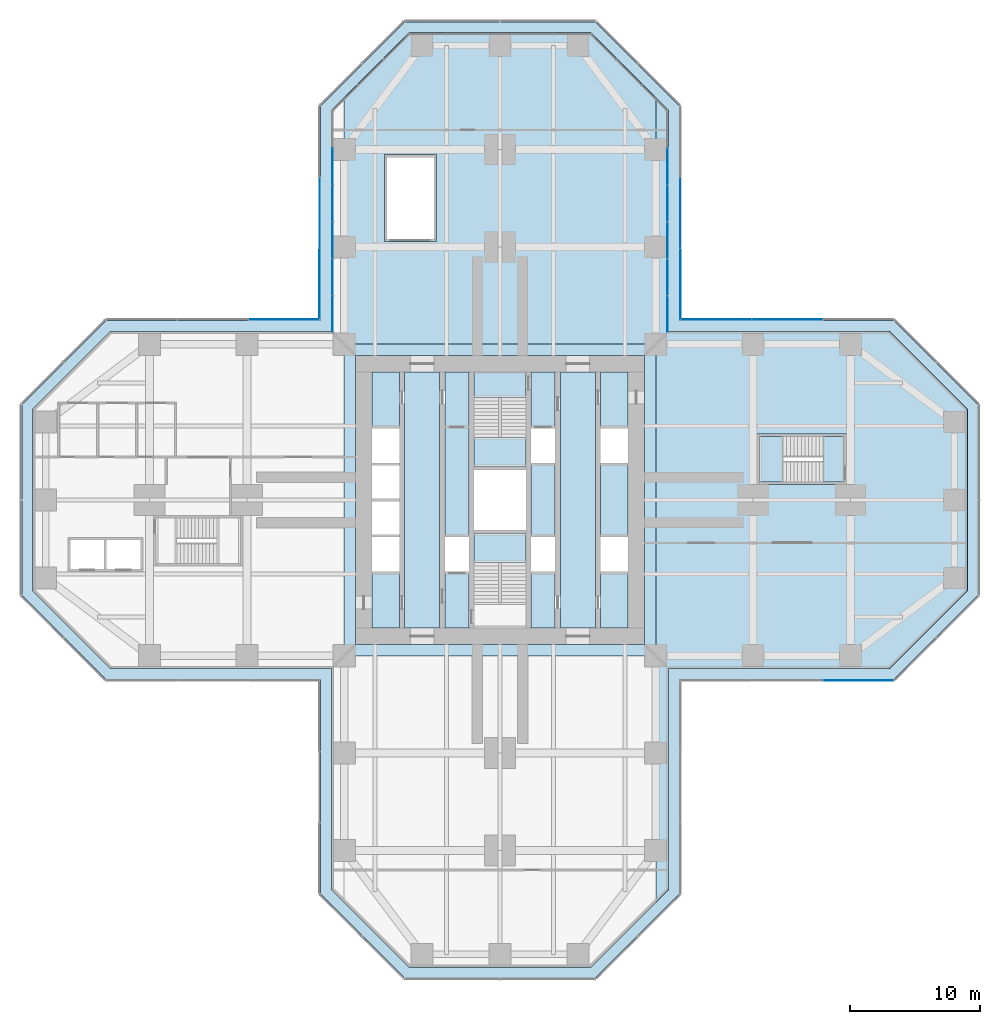
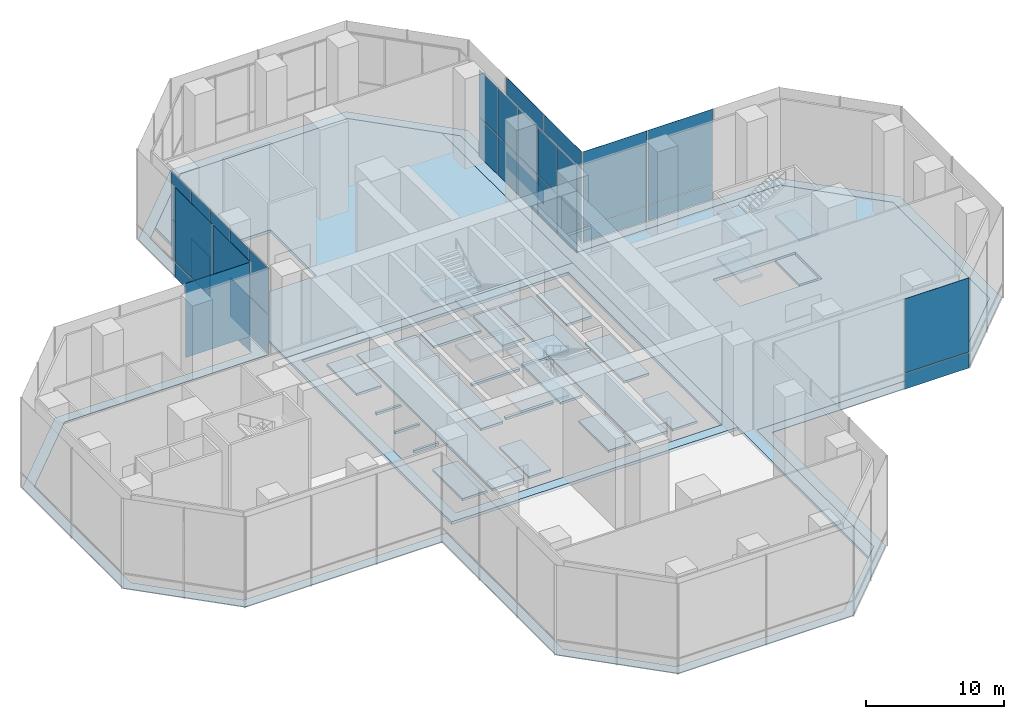
# One storey, part 15 of 25: 36 plates, 14 slabs, 10 elements without a shape of their own.
"""IFC4 building model written with IfcOpenShell, lengths in metres."""

from ifc_helpers import new_model, si_unit, direction, frame, origin, origin_2d, place, context, subcontext, project, spatial, polyline, rectangle, outline, extrude, material, layer, layer_set, type_object, element, aggregate, save


model = new_model("IFC4")

# Units and contexts
model_context = context("Model", 3, precision=1e-05, world=origin(), true_north=direction((0.0, 1.0)))
body_context = subcontext(model_context, "Body", "Model", "MODEL_VIEW")
ifc_project = project(units=[si_unit("LENGTHUNIT", "METRE"), si_unit("AREAUNIT", "SQUARE_METRE"), si_unit("VOLUMEUNIT", "CUBIC_METRE"), si_unit("PLANEANGLEUNIT", "RADIAN"), si_unit("MASSUNIT", "GRAM", prefix="KILO")], contexts=[model_context])

# Site, building, storey
site_placement = place(None, origin())
site = spatial("IfcSite", under=ifc_project, at=site_placement, CompositionType="ELEMENT")
building_placement = place(site_placement, origin())
building = spatial("IfcBuilding", under=site, at=building_placement, Name="Mizan Broadcast Tower", CompositionType="ELEMENT")
storey_placement = place(building_placement, frame((0.0, 0.0, 15.0)))
storey = spatial("IfcBuildingStorey", under=building, at=storey_placement, Name="L02", CompositionType="ELEMENT", Elevation=15.0)

# Plate
ifc_material_1 = material(Name="Aluminium grating", Category="aluminium")
ifc_layer_1 = layer(ifc_material_1, 0.050048828125)
ifc_layer_set_1 = layer_set([ifc_layer_1], Name="Aluminium grating")
plate_type_1 = type_object("IfcPlateType", Name="CAVITY GRATING", PredefinedType="USERDEFINED", material=ifc_layer_set_1)
plate_1_placement = place(storey_placement, frame((0.0, 0.0, -0.050048828125)))
element("IfcPlate", 1, at=plate_1_placement, inside=storey, type_object=plate_type_1, Name="Cavity grating L02", ObjectType="GRATING", PredefinedType="USERDEFINED", context=body_context, shape_type="SweptSolid", body=[
    extrude(outline(polyline([(7.339599609375, -36.820068359375), (13.820068359375, -30.339599609375), (13.820068359375, -13.820068359375), (30.339599609375, -13.820068359375), (36.820068359375, -7.339599609375), (36.820068359375, 7.339599609375), (30.339599609375, 13.820068359375), (13.820068359375, 13.820068359375), (13.820068359375, 30.339599609375), (7.339599609375, 36.820068359375), (-7.339599609375, 36.820068359375), (-13.820068359375, 30.339599609375), (-13.820068359375, 13.820068359375), (-30.339599609375, 13.820068359375), (-36.820068359375, 7.339599609375), (-36.820068359375, -7.339599609375), (-30.339599609375, -13.820068359375), (-13.820068359375, -13.820068359375), (-13.820068359375, -30.339599609375), (-7.339599609375, -36.820068359375), (7.339599609375, -36.820068359375)]), holes=[polyline([(36.0, -7.0), (30.0, -13.0), (13.0, -13.0), (13.0, -30.0), (7.0, -36.0), (-7.0, -36.0), (-13.0, -30.0), (-13.0, -13.0), (-30.0, -13.0), (-36.0, -7.0), (-36.0, 7.0), (-30.0, 13.0), (-13.0, 13.0), (-13.0, 30.0), (-7.0, 36.0), (7.0, 36.0), (13.0, 30.0), (13.0, 13.0), (30.0, 13.0), (36.0, 7.0), (36.0, -7.0)])]), origin(), (0.0, 0.0, 1.0), 0.050048828125),
])

# Slab
ifc_material_2 = material(Name="Concrete C40/50", Category="concrete")
ifc_layer_2 = layer(ifc_material_2, 0.199951171875)
ifc_layer_set_2 = layer_set([ifc_layer_2], Name="Concrete C40/50")
slab_type_1 = type_object("IfcSlabType", Name="CORE FLOOR 200", PredefinedType="FLOOR", material=ifc_layer_set_2)
slab_1_placement = place(storey_placement, frame((0.0, 0.0, -0.199951171875)))
element("IfcSlab", 2, at=slab_1_placement, inside=storey, type_object=slab_type_1, Name="Core floor L02", PredefinedType="FLOOR", context=body_context, shape_type="SweptSolid", body=[
    extrude(outline(polyline([(-9.85009765625, -9.85009765625), (-7.75, -9.85009765625), (-7.75, -5.5), (-9.85009765625, -5.5), (-9.85009765625, -9.85009765625)])), origin(), (0.0, 0.0, 1.0), 0.199951171875),
    extrude(outline(polyline([(-9.85009765625, -2.85009765625), (-7.75, -2.85009765625), (-7.75, -2.64990234375), (-9.85009765625, -2.64990234375), (-9.85009765625, -2.85009765625)])), origin(), (0.0, 0.0, 1.0), 0.199951171875),
    extrude(outline(polyline([(-9.85009765625, -0.10009765625), (-7.75, -0.10009765625), (-7.75, 0.10009765625), (-9.85009765625, 0.10009765625), (-9.85009765625, -0.10009765625)])), origin(), (0.0, 0.0, 1.0), 0.199951171875),
    extrude(outline(polyline([(-9.85009765625, 2.64990234375), (-7.75, 2.64990234375), (-7.75, 2.85009765625), (-9.85009765625, 2.85009765625), (-9.85009765625, 2.64990234375)])), origin(), (0.0, 0.0, 1.0), 0.199951171875),
    extrude(outline(polyline([(-9.85009765625, 5.5), (-7.75, 5.5), (-7.75, 9.85009765625), (-9.85009765625, 9.85009765625), (-9.85009765625, 5.5)])), origin(), (0.0, 0.0, 1.0), 0.199951171875),
    extrude(outline(polyline([(-4.64990234375, 9.85009765625), (-7.35009765625, 9.85009765625), (-7.35009765625, -9.85009765625), (-4.64990234375, -9.85009765625), (-4.64990234375, 9.85009765625)])), origin(), (0.0, 0.0, 1.0), 0.199951171875),
    extrude(outline(polyline([(-4.25, -5.5), (-4.25, -9.85009765625), (-2.39990234375, -9.85009765625), (-2.39990234375, -5.5), (-4.25, -5.5)])), origin(), (0.0, 0.0, 1.0), 0.199951171875),
    extrude(outline(polyline([(-4.25, -2.85009765625), (-2.39990234375, -2.85009765625), (-2.39990234375, 9.85009765625), (-4.25, 9.85009765625), (-4.25, -2.85009765625)])), origin(), (0.0, 0.0, 1.0), 0.199951171875),
    extrude(outline(polyline([(2.0, -2.324951171875), (-2.0, -2.324951171875), (-2.0, -2.574951171875), (2.0, -2.574951171875), (2.0, -2.324951171875)])), origin(), (0.0, 0.0, 1.0), 0.199951171875),
    extrude(outline(polyline([(2.0, 2.574951171875), (-2.0, 2.574951171875), (-2.0, 2.324951171875), (2.0, 2.324951171875), (2.0, 2.574951171875)])), origin(), (0.0, 0.0, 1.0), 0.199951171875),
    extrude(outline(polyline([(4.25, -9.85009765625), (4.25, -5.5), (2.39990234375, -5.5), (2.39990234375, -9.85009765625), (4.25, -9.85009765625)])), origin(), (0.0, 0.0, 1.0), 0.199951171875),
    extrude(outline(polyline([(4.25, -2.85009765625), (4.25, 2.85009765625), (2.39990234375, 2.85009765625), (2.39990234375, -2.85009765625), (4.25, -2.85009765625)])), origin(), (0.0, 0.0, 1.0), 0.199951171875),
    extrude(outline(polyline([(4.25, 5.5), (4.25, 9.85009765625), (2.39990234375, 9.85009765625), (2.39990234375, 5.5), (4.25, 5.5)])), origin(), (0.0, 0.0, 1.0), 0.199951171875),
    extrude(outline(polyline([(4.64990234375, 9.85009765625), (4.64990234375, -9.85009765625), (7.35009765625, -9.85009765625), (7.35009765625, 9.85009765625), (4.64990234375, 9.85009765625)])), origin(), (0.0, 0.0, 1.0), 0.199951171875),
    extrude(outline(polyline([(9.85009765625, -9.85009765625), (9.85009765625, -5.5), (7.75, -5.5), (7.75, -9.85009765625), (9.85009765625, -9.85009765625)])), origin(), (0.0, 0.0, 1.0), 0.199951171875),
    extrude(outline(polyline([(7.75, 2.85009765625), (7.75, -2.85009765625), (9.85009765625, -2.85009765625), (9.85009765625, 2.85009765625), (7.75, 2.85009765625)])), origin(), (0.0, 0.0, 1.0), 0.199951171875),
    extrude(outline(polyline([(9.85009765625, 5.5), (9.85009765625, 9.85009765625), (7.75, 9.85009765625), (7.75, 5.5), (9.85009765625, 5.5)])), origin(), (0.0, 0.0, 1.0), 0.199951171875),
])

# Curtain wall, plates
ifc_material_3 = material(Name="Aluminium framed glazing", Category="aluminium")
curtain_wall_type_1 = type_object("IfcCurtainWallType", Name="OUTER SKIN", PredefinedType="USERDEFINED", material=ifc_material_3)
curtain_wall_1_placement = place(storey_placement, origin())
curtain_wall_1 = element("IfcCurtainWall", 3, at=curtain_wall_1_placement, inside=storey, type_object=curtain_wall_type_1, Name="Outer skin L02 E side", ObjectType="OUTER SKIN", PredefinedType="USERDEFINED")
ifc_material_4 = material(Name="Laminated clear glass", Category="glass")
ifc_layer_3 = layer(ifc_material_4, 0.02001953125)
ifc_layer_set_3 = layer_set([ifc_layer_3], Name="Laminated clear glass")
plate_type_2 = type_object("IfcPlateType", Name="OUTER SKIN CLEAR GLASS", PredefinedType="CURTAIN_PANEL", material=ifc_layer_set_3)
plate_2_placement = place(storey_placement, frame((27.607421875, -13.89990234375, 0.0), z_axis=(0.0, 0.0, 1.0), x_axis=(1.0, 0.0, 0.0)))
plate_2 = element("IfcPlate", 4, at=plate_2_placement, type_object=plate_type_2, Name="Outer skin L02 E side panel 3.1", PredefinedType="CURTAIN_PANEL", context=body_context, shape_type="SweptSolid", body=[
    extrude(rectangle(XDim=5.370849609375, YDim=0.02001953125, at=origin_2d()), origin(), (0.0, 0.0, 1.0), 1.3701171875),
])
plate_3_placement = place(storey_placement, frame((27.607421875, -13.89990234375, 1.43017578125), z_axis=(0.0, 0.0, 1.0), x_axis=(1.0, 0.0, 0.0)))
plate_3 = element("IfcPlate", 5, at=plate_3_placement, type_object=plate_type_2, Name="Outer skin L02 E side panel 3.2", PredefinedType="CURTAIN_PANEL", context=body_context, shape_type="SweptSolid", body=[
    extrude(rectangle(XDim=5.370849609375, YDim=0.02001953125, at=origin_2d()), origin(), (0.0, 0.0, 1.0), 6.570068359375),
])
aggregate(curtain_wall_1, [plate_2, plate_3])

curtain_wall_2_placement = place(storey_placement, origin())
curtain_wall_2 = element("IfcCurtainWall", 6, at=curtain_wall_2_placement, inside=storey, type_object=curtain_wall_type_1, Name="Outer skin L02 E side", ObjectType="OUTER SKIN", PredefinedType="USERDEFINED")
plate_4_placement = place(storey_placement, frame((22.136474609375, 13.89990234375, 0.0), z_axis=(0.0, 0.0, 1.0), x_axis=(-1.0, 0.0, 0.0)))
plate_4 = element("IfcPlate", 7, at=plate_4_placement, type_object=plate_type_2, Name="Outer skin L02 E side panel 2.1", PredefinedType="CURTAIN_PANEL", context=body_context, shape_type="SweptSolid", body=[
    extrude(rectangle(XDim=5.410888671875, YDim=0.02001953125, at=origin_2d()), origin(), (0.0, 0.0, 1.0), 1.3701171875),
])
plate_5_placement = place(storey_placement, frame((22.136474609375, 13.89990234375, 1.43017578125), z_axis=(0.0, 0.0, 1.0), x_axis=(-1.0, 0.0, 0.0)))
plate_5 = element("IfcPlate", 8, at=plate_5_placement, type_object=plate_type_2, Name="Outer skin L02 E side panel 2.2", PredefinedType="CURTAIN_PANEL", context=body_context, shape_type="SweptSolid", body=[
    extrude(rectangle(XDim=5.410888671875, YDim=0.02001953125, at=origin_2d()), origin(), (0.0, 0.0, 1.0), 6.570068359375),
])
plate_6_placement = place(storey_placement, frame((16.66552734375, 13.89990234375, 0.0), z_axis=(0.0, 0.0, 1.0), x_axis=(-1.0, 0.0, 0.0)))
plate_6 = element("IfcPlate", 9, at=plate_6_placement, type_object=plate_type_2, Name="Outer skin L02 E side panel 3.1", PredefinedType="CURTAIN_PANEL", context=body_context, shape_type="SweptSolid", body=[
    extrude(rectangle(XDim=5.370849609375, YDim=0.02001953125, at=origin_2d()), origin(), (0.0, 0.0, 1.0), 1.3701171875),
])
plate_7_placement = place(storey_placement, frame((16.66552734375, 13.89990234375, 1.43017578125), z_axis=(0.0, 0.0, 1.0), x_axis=(-1.0, 0.0, 0.0)))
plate_7 = element("IfcPlate", 10, at=plate_7_placement, type_object=plate_type_2, Name="Outer skin L02 E side panel 3.2", PredefinedType="CURTAIN_PANEL", context=body_context, shape_type="SweptSolid", body=[
    extrude(rectangle(XDim=5.370849609375, YDim=0.02001953125, at=origin_2d()), origin(), (0.0, 0.0, 1.0), 6.570068359375),
])
aggregate(curtain_wall_2, [plate_4, plate_5, plate_6, plate_7])

curtain_wall_3_placement = place(storey_placement, origin())
curtain_wall_3 = element("IfcCurtainWall", 11, at=curtain_wall_3_placement, inside=storey, type_object=curtain_wall_type_1, Name="Outer skin L02 N side", ObjectType="OUTER SKIN", PredefinedType="USERDEFINED")
plate_8_placement = place(storey_placement, frame((13.89990234375, 16.66552734375, 0.0), z_axis=(0.0, 0.0, 1.0), x_axis=(0.0, 1.0, 0.0)))
plate_8 = element("IfcPlate", 12, at=plate_8_placement, type_object=plate_type_2, Name="Outer skin L02 N side panel 1.1", PredefinedType="CURTAIN_PANEL", context=body_context, shape_type="SweptSolid", body=[
    extrude(rectangle(XDim=5.370849609375, YDim=0.02001953125, at=origin_2d()), origin(), (0.0, 0.0, 1.0), 1.3701171875),
])
plate_9_placement = place(storey_placement, frame((13.89990234375, 16.66552734375, 1.43017578125), z_axis=(0.0, 0.0, 1.0), x_axis=(0.0, 1.0, 0.0)))
plate_9 = element("IfcPlate", 13, at=plate_9_placement, type_object=plate_type_2, Name="Outer skin L02 N side panel 1.2", PredefinedType="CURTAIN_PANEL", context=body_context, shape_type="SweptSolid", body=[
    extrude(rectangle(XDim=5.370849609375, YDim=0.02001953125, at=origin_2d()), origin(), (0.0, 0.0, 1.0), 6.570068359375),
])

curtain_wall_4_placement = place(storey_placement, origin())
curtain_wall_4 = element("IfcCurtainWall", 14, at=curtain_wall_4_placement, inside=storey, type_object=curtain_wall_type_1, Name="Outer skin L02 N side", ObjectType="OUTER SKIN", PredefinedType="USERDEFINED")
plate_10_placement = place(storey_placement, frame((-13.89990234375, 16.66552734375, 0.0), z_axis=(0.0, 0.0, 1.0), x_axis=(0.0, -1.0, 0.0)))
plate_10 = element("IfcPlate", 15, at=plate_10_placement, type_object=plate_type_2, Name="Outer skin L02 N side panel 3.1", PredefinedType="CURTAIN_PANEL", context=body_context, shape_type="SweptSolid", body=[
    extrude(rectangle(XDim=5.370849609375, YDim=0.02001953125, at=origin_2d()), origin(), (0.0, 0.0, 1.0), 1.3701171875),
])
plate_11_placement = place(storey_placement, frame((-13.89990234375, 16.66552734375, 1.43017578125), z_axis=(0.0, 0.0, 1.0), x_axis=(0.0, -1.0, 0.0)))
plate_11 = element("IfcPlate", 16, at=plate_11_placement, type_object=plate_type_2, Name="Outer skin L02 N side panel 3.2", PredefinedType="CURTAIN_PANEL", context=body_context, shape_type="SweptSolid", body=[
    extrude(rectangle(XDim=5.370849609375, YDim=0.02001953125, at=origin_2d()), origin(), (0.0, 0.0, 1.0), 6.570068359375),
])

# Curtain wall, plate
curtain_wall_5_placement = place(storey_placement, origin())
curtain_wall_5 = element("IfcCurtainWall", 17, at=curtain_wall_5_placement, inside=storey, type_object=curtain_wall_type_1, Name="Outer skin L02 W side", ObjectType="OUTER SKIN", PredefinedType="USERDEFINED")
plate_12_placement = place(storey_placement, frame((-16.66552734375, 13.89990234375, 1.43017578125), z_axis=(0.0, 0.0, 1.0), x_axis=(-1.0, 0.0, 0.0)))
plate_12 = element("IfcPlate", 18, at=plate_12_placement, type_object=plate_type_2, Name="Outer skin L02 W side panel 1.2", PredefinedType="CURTAIN_PANEL", context=body_context, shape_type="SweptSolid", body=[
    extrude(rectangle(XDim=5.370849609375, YDim=0.02001953125, at=origin_2d()), origin(), (0.0, 0.0, 1.0), 6.570068359375),
])
aggregate(curtain_wall_5, [plate_12])

# Plate
ifc_material_5 = material(Name="Perforated aluminium, pale anodised", Category="aluminium")
ifc_layer_4 = layer(ifc_material_5, 0.011962890625)
ifc_layer_set_4 = layer_set([ifc_layer_4], Name="Perforated aluminium, pale anodised")
plate_type_3 = type_object("IfcPlateType", Name="OUTER SKIN PERFORATED SCREEN", PredefinedType="USERDEFINED", material=ifc_layer_set_4)
plate_13_placement = place(storey_placement, frame((13.89990234375, 22.136474609375, 0.0), z_axis=(0.0, 0.0, 1.0), x_axis=(0.0, 1.0, 0.0)))
plate_13 = element("IfcPlate", 19, at=plate_13_placement, type_object=plate_type_3, Name="Outer skin L02 N side panel 2.1", ObjectType="SCREEN", PredefinedType="USERDEFINED", context=body_context, shape_type="SweptSolid", body=[
    extrude(rectangle(XDim=5.410888671875, YDim=0.011962890625, at=origin_2d()), origin(), (0.0, 0.0, 1.0), 1.3701171875),
])

plate_14_placement = place(storey_placement, frame((13.89990234375, 22.136474609375, 1.43017578125), z_axis=(0.0, 0.0, 1.0), x_axis=(0.0, 1.0, 0.0)))
plate_14 = element("IfcPlate", 20, at=plate_14_placement, type_object=plate_type_3, Name="Outer skin L02 N side panel 2.2", ObjectType="SCREEN", PredefinedType="USERDEFINED", context=body_context, shape_type="SweptSolid", body=[
    extrude(rectangle(XDim=5.410888671875, YDim=0.011962890625, at=origin_2d()), origin(), (0.0, 0.0, 1.0), 6.570068359375),
])

aggregate(curtain_wall_3, [plate_8, plate_9, plate_13, plate_14])

plate_15_placement = place(storey_placement, frame((-13.89990234375, 22.136474609375, 0.0), z_axis=(0.0, 0.0, 1.0), x_axis=(0.0, -1.0, 0.0)))
plate_15 = element("IfcPlate", 21, at=plate_15_placement, type_object=plate_type_3, Name="Outer skin L02 N side panel 2.1", ObjectType="SCREEN", PredefinedType="USERDEFINED", context=body_context, shape_type="SweptSolid", body=[
    extrude(rectangle(XDim=5.410888671875, YDim=0.011962890625, at=origin_2d()), origin(), (0.0, 0.0, 1.0), 1.3701171875),
])

plate_16_placement = place(storey_placement, frame((-13.89990234375, 22.136474609375, 1.43017578125), z_axis=(0.0, 0.0, 1.0), x_axis=(0.0, -1.0, 0.0)))
plate_16 = element("IfcPlate", 22, at=plate_16_placement, type_object=plate_type_3, Name="Outer skin L02 N side panel 2.2", ObjectType="SCREEN", PredefinedType="USERDEFINED", context=body_context, shape_type="SweptSolid", body=[
    extrude(rectangle(XDim=5.410888671875, YDim=0.011962890625, at=origin_2d()), origin(), (0.0, 0.0, 1.0), 6.570068359375),
])

aggregate(curtain_wall_4, [plate_15, plate_16, plate_10, plate_11])

# Curtain wall, plates
ifc_material_6 = material(Name="Aluminium framed glazing", Category="aluminium")
curtain_wall_type_2 = type_object("IfcCurtainWallType", Name="PODIUM CURTAIN WALL", PredefinedType="USERDEFINED", material=ifc_material_6)
curtain_wall_6_placement = place(storey_placement, origin())
curtain_wall_6 = element("IfcCurtainWall", 23, at=curtain_wall_6_placement, inside=storey, type_object=curtain_wall_type_2, Name="Podium curtain wall L02 N side", ObjectType="PODIUM CURTAIN WALL", PredefinedType="USERDEFINED")
ifc_material_7 = material(Name="Double glazing, clear laminated", Category="glass")
ifc_layer_5 = layer(ifc_material_7, 0.031982421875)
ifc_layer_set_5 = layer_set([ifc_layer_5], Name="Double glazing, clear laminated")
plate_type_4 = type_object("IfcPlateType", Name="PODIUM GLAZING UNIT", PredefinedType="CURTAIN_PANEL", material=ifc_layer_set_5)
plate_17_placement = place(storey_placement, frame((12.89990234375, 14.336669921875, 0.0), z_axis=(0.0, 0.0, 1.0), x_axis=(0.0, 1.0, 0.0)))
plate_17 = element("IfcPlate", 24, at=plate_17_placement, type_object=plate_type_4, Name="Podium curtain wall L02 N side panel 1.1", PredefinedType="CURTAIN_PANEL", context=body_context, shape_type="SweptSolid", body=[
    extrude(rectangle(XDim=2.753173828125, YDim=0.031982421875, at=origin_2d()), origin(), (0.0, 0.0, 1.0), 3.469970703125),
])
plate_18_placement = place(storey_placement, frame((12.89990234375, 14.336669921875, 3.5302734375), z_axis=(0.0, 0.0, 1.0), x_axis=(0.0, 1.0, 0.0)))
plate_18 = element("IfcPlate", 25, at=plate_18_placement, type_object=plate_type_4, Name="Podium curtain wall L02 N side panel 1.2", PredefinedType="CURTAIN_PANEL", context=body_context, shape_type="SweptSolid", body=[
    extrude(rectangle(XDim=2.753173828125, YDim=0.031982421875, at=origin_2d()), origin(), (0.0, 0.0, 1.0), 4.159912109375),
])
plate_19_placement = place(storey_placement, frame((12.89990234375, 17.16455078125, 0.0), z_axis=(0.0, 0.0, 1.0), x_axis=(0.0, 1.0, 0.0)))
plate_19 = element("IfcPlate", 26, at=plate_19_placement, type_object=plate_type_4, Name="Podium curtain wall L02 N side panel 2.1", PredefinedType="CURTAIN_PANEL", context=body_context, shape_type="SweptSolid", body=[
    extrude(rectangle(XDim=2.783203125, YDim=0.031982421875, at=origin_2d()), origin(), (0.0, 0.0, 1.0), 3.469970703125),
])
plate_20_placement = place(storey_placement, frame((12.89990234375, 17.16455078125, 3.5302734375), z_axis=(0.0, 0.0, 1.0), x_axis=(0.0, 1.0, 0.0)))
plate_20 = element("IfcPlate", 27, at=plate_20_placement, type_object=plate_type_4, Name="Podium curtain wall L02 N side panel 2.2", PredefinedType="CURTAIN_PANEL", context=body_context, shape_type="SweptSolid", body=[
    extrude(rectangle(XDim=2.783203125, YDim=0.031982421875, at=origin_2d()), origin(), (0.0, 0.0, 1.0), 4.159912109375),
])
plate_21_placement = place(storey_placement, frame((12.89990234375, 20.0078125, 0.0), z_axis=(0.0, 0.0, 1.0), x_axis=(0.0, 1.0, 0.0)))
plate_21 = element("IfcPlate", 28, at=plate_21_placement, type_object=plate_type_4, Name="Podium curtain wall L02 N side panel 3.1", PredefinedType="CURTAIN_PANEL", context=body_context, shape_type="SweptSolid", body=[
    extrude(rectangle(XDim=2.783203125, YDim=0.031982421875, at=origin_2d()), origin(), (0.0, 0.0, 1.0), 3.469970703125),
])
plate_22_placement = place(storey_placement, frame((12.89990234375, 20.0078125, 3.5302734375), z_axis=(0.0, 0.0, 1.0), x_axis=(0.0, 1.0, 0.0)))
plate_22 = element("IfcPlate", 29, at=plate_22_placement, type_object=plate_type_4, Name="Podium curtain wall L02 N side panel 3.2", PredefinedType="CURTAIN_PANEL", context=body_context, shape_type="SweptSolid", body=[
    extrude(rectangle(XDim=2.783203125, YDim=0.031982421875, at=origin_2d()), origin(), (0.0, 0.0, 1.0), 4.159912109375),
])
plate_23_placement = place(storey_placement, frame((12.89990234375, 22.850830078125, 0.0), z_axis=(0.0, 0.0, 1.0), x_axis=(0.0, 1.0, 0.0)))
plate_23 = element("IfcPlate", 30, at=plate_23_placement, type_object=plate_type_4, Name="Podium curtain wall L02 N side panel 4.1", PredefinedType="CURTAIN_PANEL", context=body_context, shape_type="SweptSolid", body=[
    extrude(rectangle(XDim=2.783203125, YDim=0.031982421875, at=origin_2d()), origin(), (0.0, 0.0, 1.0), 3.469970703125),
])
plate_24_placement = place(storey_placement, frame((12.89990234375, 22.850830078125, 3.5302734375), z_axis=(0.0, 0.0, 1.0), x_axis=(0.0, 1.0, 0.0)))
plate_24 = element("IfcPlate", 31, at=plate_24_placement, type_object=plate_type_4, Name="Podium curtain wall L02 N side panel 4.2", PredefinedType="CURTAIN_PANEL", context=body_context, shape_type="SweptSolid", body=[
    extrude(rectangle(XDim=2.783203125, YDim=0.031982421875, at=origin_2d()), origin(), (0.0, 0.0, 1.0), 4.159912109375),
])
plate_25_placement = place(storey_placement, frame((12.89990234375, 25.69384765625, 0.0), z_axis=(0.0, 0.0, 1.0), x_axis=(0.0, 1.0, 0.0)))
plate_25 = element("IfcPlate", 32, at=plate_25_placement, type_object=plate_type_4, Name="Podium curtain wall L02 N side panel 5.1", PredefinedType="CURTAIN_PANEL", context=body_context, shape_type="SweptSolid", body=[
    extrude(rectangle(XDim=2.783203125, YDim=0.031982421875, at=origin_2d()), origin(), (0.0, 0.0, 1.0), 3.469970703125),
])
plate_26_placement = place(storey_placement, frame((12.89990234375, 25.69384765625, 3.5302734375), z_axis=(0.0, 0.0, 1.0), x_axis=(0.0, 1.0, 0.0)))
plate_26 = element("IfcPlate", 33, at=plate_26_placement, type_object=plate_type_4, Name="Podium curtain wall L02 N side panel 5.2", PredefinedType="CURTAIN_PANEL", context=body_context, shape_type="SweptSolid", body=[
    extrude(rectangle(XDim=2.783203125, YDim=0.031982421875, at=origin_2d()), origin(), (0.0, 0.0, 1.0), 4.159912109375),
])
aggregate(curtain_wall_6, [plate_17, plate_18, plate_19, plate_20, plate_21, plate_22, plate_23, plate_24, plate_25, plate_26])

curtain_wall_7_placement = place(storey_placement, origin())
curtain_wall_7 = element("IfcCurtainWall", 34, at=curtain_wall_7_placement, inside=storey, type_object=curtain_wall_type_2, Name="Podium curtain wall L02 N side", ObjectType="PODIUM CURTAIN WALL", PredefinedType="USERDEFINED")
plate_27_placement = place(storey_placement, frame((-12.89990234375, 25.69384765625, 0.0), z_axis=(0.0, 0.0, 1.0), x_axis=(0.0, -1.0, 0.0)))
plate_27 = element("IfcPlate", 35, at=plate_27_placement, type_object=plate_type_4, Name="Podium curtain wall L02 N side panel 2.1", PredefinedType="CURTAIN_PANEL", context=body_context, shape_type="SweptSolid", body=[
    extrude(rectangle(XDim=2.783203125, YDim=0.031982421875, at=origin_2d()), origin(), (0.0, 0.0, 1.0), 3.469970703125),
])
plate_28_placement = place(storey_placement, frame((-12.89990234375, 25.69384765625, 3.5302734375), z_axis=(0.0, 0.0, 1.0), x_axis=(0.0, -1.0, 0.0)))
plate_28 = element("IfcPlate", 36, at=plate_28_placement, type_object=plate_type_4, Name="Podium curtain wall L02 N side panel 2.2", PredefinedType="CURTAIN_PANEL", context=body_context, shape_type="SweptSolid", body=[
    extrude(rectangle(XDim=2.783203125, YDim=0.031982421875, at=origin_2d()), origin(), (0.0, 0.0, 1.0), 4.159912109375),
])
plate_29_placement = place(storey_placement, frame((-12.89990234375, 22.850830078125, 0.0), z_axis=(0.0, 0.0, 1.0), x_axis=(0.0, -1.0, 0.0)))
plate_29 = element("IfcPlate", 37, at=plate_29_placement, type_object=plate_type_4, Name="Podium curtain wall L02 N side panel 3.1", PredefinedType="CURTAIN_PANEL", context=body_context, shape_type="SweptSolid", body=[
    extrude(rectangle(XDim=2.783203125, YDim=0.031982421875, at=origin_2d()), origin(), (0.0, 0.0, 1.0), 3.469970703125),
])
plate_30_placement = place(storey_placement, frame((-12.89990234375, 22.850830078125, 3.5302734375), z_axis=(0.0, 0.0, 1.0), x_axis=(0.0, -1.0, 0.0)))
plate_30 = element("IfcPlate", 38, at=plate_30_placement, type_object=plate_type_4, Name="Podium curtain wall L02 N side panel 3.2", PredefinedType="CURTAIN_PANEL", context=body_context, shape_type="SweptSolid", body=[
    extrude(rectangle(XDim=2.783203125, YDim=0.031982421875, at=origin_2d()), origin(), (0.0, 0.0, 1.0), 4.159912109375),
])
plate_31_placement = place(storey_placement, frame((-12.89990234375, 20.0078125, 0.0), z_axis=(0.0, 0.0, 1.0), x_axis=(0.0, -1.0, 0.0)))
plate_31 = element("IfcPlate", 39, at=plate_31_placement, type_object=plate_type_4, Name="Podium curtain wall L02 N side panel 4.1", PredefinedType="CURTAIN_PANEL", context=body_context, shape_type="SweptSolid", body=[
    extrude(rectangle(XDim=2.783203125, YDim=0.031982421875, at=origin_2d()), origin(), (0.0, 0.0, 1.0), 3.469970703125),
])
plate_32_placement = place(storey_placement, frame((-12.89990234375, 20.0078125, 3.5302734375), z_axis=(0.0, 0.0, 1.0), x_axis=(0.0, -1.0, 0.0)))
plate_32 = element("IfcPlate", 40, at=plate_32_placement, type_object=plate_type_4, Name="Podium curtain wall L02 N side panel 4.2", PredefinedType="CURTAIN_PANEL", context=body_context, shape_type="SweptSolid", body=[
    extrude(rectangle(XDim=2.783203125, YDim=0.031982421875, at=origin_2d()), origin(), (0.0, 0.0, 1.0), 4.159912109375),
])
plate_33_placement = place(storey_placement, frame((-12.89990234375, 17.16455078125, 0.0), z_axis=(0.0, 0.0, 1.0), x_axis=(0.0, -1.0, 0.0)))
plate_33 = element("IfcPlate", 41, at=plate_33_placement, type_object=plate_type_4, Name="Podium curtain wall L02 N side panel 5.1", PredefinedType="CURTAIN_PANEL", context=body_context, shape_type="SweptSolid", body=[
    extrude(rectangle(XDim=2.783203125, YDim=0.031982421875, at=origin_2d()), origin(), (0.0, 0.0, 1.0), 3.469970703125),
])
plate_34_placement = place(storey_placement, frame((-12.89990234375, 17.16455078125, 3.5302734375), z_axis=(0.0, 0.0, 1.0), x_axis=(0.0, -1.0, 0.0)))
plate_34 = element("IfcPlate", 42, at=plate_34_placement, type_object=plate_type_4, Name="Podium curtain wall L02 N side panel 5.2", PredefinedType="CURTAIN_PANEL", context=body_context, shape_type="SweptSolid", body=[
    extrude(rectangle(XDim=2.783203125, YDim=0.031982421875, at=origin_2d()), origin(), (0.0, 0.0, 1.0), 4.159912109375),
])
plate_35_placement = place(storey_placement, frame((-12.89990234375, 14.336669921875, 0.0), z_axis=(0.0, 0.0, 1.0), x_axis=(0.0, -1.0, 0.0)))
plate_35 = element("IfcPlate", 43, at=plate_35_placement, type_object=plate_type_4, Name="Podium curtain wall L02 N side panel 6.1", PredefinedType="CURTAIN_PANEL", context=body_context, shape_type="SweptSolid", body=[
    extrude(rectangle(XDim=2.753173828125, YDim=0.031982421875, at=origin_2d()), origin(), (0.0, 0.0, 1.0), 3.469970703125),
])
plate_36_placement = place(storey_placement, frame((-12.89990234375, 14.336669921875, 3.5302734375), z_axis=(0.0, 0.0, 1.0), x_axis=(0.0, -1.0, 0.0)))
plate_36 = element("IfcPlate", 44, at=plate_36_placement, type_object=plate_type_4, Name="Podium curtain wall L02 N side panel 6.2", PredefinedType="CURTAIN_PANEL", context=body_context, shape_type="SweptSolid", body=[
    extrude(rectangle(XDim=2.753173828125, YDim=0.031982421875, at=origin_2d()), origin(), (0.0, 0.0, 1.0), 4.159912109375),
])
aggregate(curtain_wall_7, [plate_27, plate_28, plate_29, plate_30, plate_31, plate_32, plate_33, plate_34, plate_35, plate_36])

# Slabs
ifc_material_8 = material(Name="Concrete C40/50", Category="concrete")
ifc_layer_6 = layer(ifc_material_8, 0.25)
ifc_layer_set_6 = layer_set([ifc_layer_6], Name="Concrete C40/50")
slab_type_2 = type_object("IfcSlabType", Name="RC FLAT SLAB 250", PredefinedType="FLOOR", material=ifc_layer_set_6)
slab_2_placement = place(storey_placement, frame((0.0, 0.0, -0.25)))
element("IfcSlab", 45, at=slab_2_placement, inside=storey, type_object=slab_type_2, Name="Floor slab L02 centre", PredefinedType="FLOOR", context=body_context, shape_type="SweptSolid", body=[
    extrude(outline(polyline([(-12.0, -12.0), (12.0, -12.0), (12.0, 12.0), (-12.0, 12.0), (-12.0, -12.0)]), holes=[polyline([(-11.14990234375, 11.14990234375), (11.14990234375, 11.14990234375), (11.14990234375, -11.14990234375), (-11.14990234375, -11.14990234375), (-11.14990234375, 11.14990234375)])]), origin(), (0.0, 0.0, 1.0), 0.25),
])
slab_3_placement = place(storey_placement, frame((0.0, 0.0, -0.25)))
element("IfcSlab", 46, at=slab_3_placement, inside=storey, type_object=slab_type_2, Name="Floor slab L02 east arm", PredefinedType="FLOOR", context=body_context, shape_type="SweptSolid", body=[
    extrude(outline(polyline([(13.0, 30.0), (12.0, 31.0), (12.0, -31.0), (13.0, -30.0), (13.0, -13.0), (30.0, -13.0), (36.0, -7.0), (36.0, 7.0), (30.0, 13.0), (13.0, 13.0), (13.0, 30.0)]), holes=[polyline([(26.699951171875, 1.199951171875), (19.800048828125, 1.199951171875), (19.800048828125, 5.10009765625), (26.699951171875, 5.10009765625), (26.699951171875, 1.199951171875)])]), origin(), (0.0, 0.0, 1.0), 0.25),
])
slab_4_placement = place(storey_placement, frame((0.0, 0.0, -0.25)))
element("IfcSlab", 47, at=slab_4_placement, inside=storey, type_object=slab_type_2, Name="Floor slab L02 north arm", PredefinedType="FLOOR", context=body_context, shape_type="SweptSolid", body=[
    extrude(outline(polyline([(-7.0, 36.0), (-12.0, 31.0), (-12.0, 12.0), (12.0, 12.0), (12.0, 31.0), (7.0, 36.0), (-7.0, 36.0)]), holes=[polyline([(-8.89990234375, 26.60009765625), (-4.89990234375, 26.60009765625), (-4.89990234375, 19.89990234375), (-8.89990234375, 19.89990234375), (-8.89990234375, 26.60009765625)])]), origin(), (0.0, 0.0, 1.0), 0.25),
])

# Stair, slabs
ifc_material_9 = material(Name="Concrete C40/50", Category="concrete")
stair_type = type_object("IfcStairType", Name="EXIT STAIR", PredefinedType="HALF_TURN_STAIR", material=ifc_material_9)
stair_1_placement = place(storey_placement, origin())
stair_1 = element("IfcStair", 48, at=stair_1_placement, inside=storey, type_object=stair_type, Name="Stair A L02", PredefinedType="HALF_TURN_STAIR")
ifc_material_10 = material(Name="Concrete C40/50", Category="concrete")
ifc_layer_7 = layer(ifc_material_10, 0.199951171875)
ifc_layer_set_7 = layer_set([ifc_layer_7], Name="Concrete C40/50")
slab_type_3 = type_object("IfcSlabType", Name="STAIR LANDING 200", PredefinedType="LANDING", material=ifc_layer_set_7)
slab_5_placement = place(storey_placement, frame((0.0, 0.0, 1.800048828125)))
slab_5 = element("IfcSlab", 49, at=slab_5_placement, type_object=slab_type_3, Name="A landing 2", PredefinedType="LANDING", context=body_context, shape_type="SweptSolid", body=[
    extrude(outline(polyline([(-2.0, -4.820068359375), (-2.0, -2.574951171875), (2.0, -2.574951171875), (2.0, -4.820068359375), (-2.0, -4.820068359375)])), origin(), (0.0, 0.0, 1.0), 0.199951171875),
])
slab_6_placement = place(storey_placement, frame((0.0, 0.0, 5.800048828125)))
slab_6 = element("IfcSlab", 50, at=slab_6_placement, type_object=slab_type_3, Name="A landing 4", PredefinedType="LANDING", context=body_context, shape_type="SweptSolid", body=[
    extrude(outline(polyline([(-2.0, -4.820068359375), (-2.0, -2.574951171875), (2.0, -2.574951171875), (2.0, -4.820068359375), (-2.0, -4.820068359375)])), origin(), (0.0, 0.0, 1.0), 0.199951171875),
])
aggregate(stair_1, [slab_5, slab_6])

stair_2_placement = place(storey_placement, origin())
stair_2 = element("IfcStair", 51, at=stair_2_placement, inside=storey, type_object=stair_type, Name="Stair B L02", PredefinedType="HALF_TURN_STAIR")
slab_7_placement = place(storey_placement, frame((0.0, 0.0, -0.199951171875)))
slab_7 = element("IfcSlab", 52, at=slab_7_placement, type_object=slab_type_3, Name="B landing 1", PredefinedType="LANDING", context=body_context, shape_type="SweptSolid", body=[
    extrude(outline(polyline([(2.0, 9.85009765625), (2.0, 7.89990234375), (-2.0, 7.89990234375), (-2.0, 9.85009765625), (2.0, 9.85009765625)])), origin(), (0.0, 0.0, 1.0), 0.199951171875),
])
slab_8_placement = place(storey_placement, frame((0.0, 0.0, 1.800048828125)))
slab_8 = element("IfcSlab", 53, at=slab_8_placement, type_object=slab_type_3, Name="B landing 2", PredefinedType="LANDING", context=body_context, shape_type="SweptSolid", body=[
    extrude(outline(polyline([(2.0, 4.820068359375), (2.0, 2.574951171875), (-2.0, 2.574951171875), (-2.0, 4.820068359375), (2.0, 4.820068359375)])), origin(), (0.0, 0.0, 1.0), 0.199951171875),
])
slab_9_placement = place(storey_placement, frame((0.0, 0.0, 3.800048828125)))
slab_9 = element("IfcSlab", 54, at=slab_9_placement, type_object=slab_type_3, Name="B landing 3", PredefinedType="LANDING", context=body_context, shape_type="SweptSolid", body=[
    extrude(outline(polyline([(2.0, 9.85009765625), (2.0, 7.89990234375), (-2.0, 7.89990234375), (-2.0, 9.85009765625), (2.0, 9.85009765625)])), origin(), (0.0, 0.0, 1.0), 0.199951171875),
])
slab_10_placement = place(storey_placement, frame((0.0, 0.0, 5.800048828125)))
slab_10 = element("IfcSlab", 55, at=slab_10_placement, type_object=slab_type_3, Name="B landing 4", PredefinedType="LANDING", context=body_context, shape_type="SweptSolid", body=[
    extrude(outline(polyline([(2.0, 4.820068359375), (2.0, 2.574951171875), (-2.0, 2.574951171875), (-2.0, 4.820068359375), (2.0, 4.820068359375)])), origin(), (0.0, 0.0, 1.0), 0.199951171875),
])
aggregate(stair_2, [slab_7, slab_8, slab_9, slab_10])

stair_3_placement = place(storey_placement, origin())
stair_3 = element("IfcStair", 56, at=stair_3_placement, inside=storey, type_object=stair_type, Name="Stair C L02", PredefinedType="HALF_TURN_STAIR")
slab_11_placement = place(storey_placement, frame((0.0, 0.0, -0.199951171875)))
slab_11 = element("IfcSlab", 57, at=slab_11_placement, type_object=slab_type_3, Name="C landing 1", PredefinedType="LANDING", context=body_context, shape_type="SweptSolid", body=[
    extrude(outline(polyline([(26.5, 1.39990234375), (24.889892578125, 1.39990234375), (24.889892578125, 4.89990234375), (26.5, 4.89990234375), (26.5, 1.39990234375)])), origin(), (0.0, 0.0, 1.0), 0.199951171875),
])
slab_12_placement = place(storey_placement, frame((0.0, 0.0, 1.800048828125)))
slab_12 = element("IfcSlab", 58, at=slab_12_placement, type_object=slab_type_3, Name="C landing 2", PredefinedType="LANDING", context=body_context, shape_type="SweptSolid", body=[
    extrude(outline(polyline([(21.81005859375, 1.39990234375), (20.0, 1.39990234375), (20.0, 4.89990234375), (21.81005859375, 4.89990234375), (21.81005859375, 1.39990234375)])), origin(), (0.0, 0.0, 1.0), 0.199951171875),
])
slab_13_placement = place(storey_placement, frame((0.0, 0.0, 3.800048828125)))
slab_13 = element("IfcSlab", 59, at=slab_13_placement, type_object=slab_type_3, Name="C landing 3", PredefinedType="LANDING", context=body_context, shape_type="SweptSolid", body=[
    extrude(outline(polyline([(26.5, 1.39990234375), (24.889892578125, 1.39990234375), (24.889892578125, 4.89990234375), (26.5, 4.89990234375), (26.5, 1.39990234375)])), origin(), (0.0, 0.0, 1.0), 0.199951171875),
])
slab_14_placement = place(storey_placement, frame((0.0, 0.0, 5.800048828125)))
slab_14 = element("IfcSlab", 60, at=slab_14_placement, type_object=slab_type_3, Name="C landing 4", PredefinedType="LANDING", context=body_context, shape_type="SweptSolid", body=[
    extrude(outline(polyline([(21.81005859375, 1.39990234375), (20.0, 1.39990234375), (20.0, 4.89990234375), (21.81005859375, 4.89990234375), (21.81005859375, 1.39990234375)])), origin(), (0.0, 0.0, 1.0), 0.199951171875),
])
aggregate(stair_3, [slab_11, slab_12, slab_13, slab_14])

save(model, "model.ifc")
